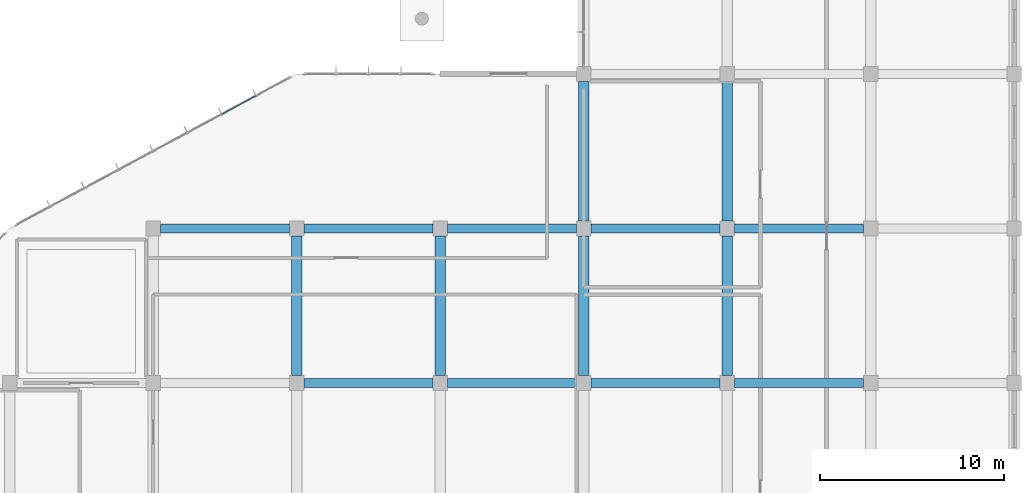
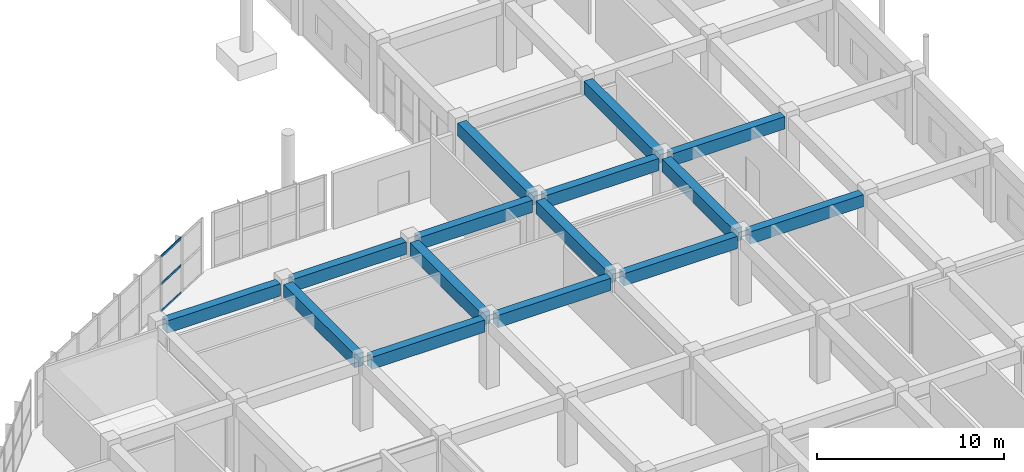
# One storey, part 32 of 139: 15 beams, 3 members, 1 element without a shape of its own.
"""IFC4 building model written with IfcOpenShell, lengths in metres."""

from ifc_helpers import new_model, si_unit, direction, frame, origin, origin_2d, place, context, subcontext, project, spatial, rectangle, hollow_rectangle, extrude, material, layer, layer_set, material_profile, profile_set, type_object, element, aggregate, save


model = new_model("IFC4")

# Units and contexts
model_context = context("Model", 3, precision=1e-05, world=origin(), true_north=direction((0.0, 1.0)))
body_context = subcontext(model_context, "Body", "Model", "MODEL_VIEW")
ifc_project = project(units=[si_unit("LENGTHUNIT", "METRE"), si_unit("AREAUNIT", "SQUARE_METRE"), si_unit("VOLUMEUNIT", "CUBIC_METRE"), si_unit("PLANEANGLEUNIT", "RADIAN"), si_unit("MASSUNIT", "GRAM", prefix="KILO")], contexts=[model_context])

# Site, building, storey
site_placement = place(None, origin())
site = spatial("IfcSite", under=ifc_project, at=site_placement, CompositionType="ELEMENT")
building_placement = place(site_placement, origin())
building = spatial("IfcBuilding", under=site, at=building_placement, Name="Zizhar Promenade General Hospital", CompositionType="ELEMENT")
storey_placement = place(building_placement, origin())
storey = spatial("IfcBuildingStorey", under=building, at=storey_placement, Name="L00", CompositionType="ELEMENT", Elevation=0.0)

# Beams
ifc_material_1 = material(Name="Concrete C35/45", Category="concrete")
ifc_material_profile_1 = material_profile(ifc_material_1, rectangle(XDim=0.5, YDim=0.800048828125, at=origin_2d()))
ifc_profile_set_1 = profile_set([ifc_material_profile_1], Name="Concrete C35/45")
beam_type_1 = type_object("IfcBeamType", Name="BM-RC-500x800", PredefinedType="BEAM", material=ifc_profile_set_1)
for number, where, z_axis, x_axis, name in (
    (1, (23.800048828125, 75.60009765625, 4.070068359375), (1.0, 0.0, 0.0), (0.0, 1.0, 0.0), "Grid Beam X L00 (3-9)"),
    (2, (31.60009765625, 67.199951171875, 4.070068359375), (1.0, 0.0, 0.0), (0.0, 1.0, 0.0), "Grid Beam X L00 (4-8)"),
    (3, (31.60009765625, 75.60009765625, 4.070068359375), (1.0, 0.0, 0.0), (0.0, 1.0, 0.0), "Grid Beam X L00 (4-9)"),
    (4, (39.39990234375, 67.199951171875, 4.070068359375), (1.0, 0.0, 0.0), (0.0, 1.0, 0.0), "Grid Beam X L00 (5-8)"),
    (5, (39.39990234375, 75.60009765625, 4.070068359375), (1.0, 0.0, 0.0), (0.0, 1.0, 0.0), "Grid Beam X L00 (5-9)"),
    (6, (47.199951171875, 67.199951171875, 4.070068359375), (1.0, 0.0, 0.0), (0.0, 1.0, 0.0), "Grid Beam X L00 (6-8)"),
    (7, (47.199951171875, 75.60009765625, 4.070068359375), (1.0, 0.0, 0.0), (0.0, 1.0, 0.0), "Grid Beam X L00 (6-9)"),
    (8, (55.0, 67.199951171875, 4.070068359375), (1.0, 0.0, 0.0), (0.0, 1.0, 0.0), "Grid Beam X L00 (7-8)"),
    (9, (55.0, 75.60009765625, 4.070068359375), (1.0, 0.0, 0.0), (0.0, 1.0, 0.0), "Grid Beam X L00 (7-9)"),
):
    element("IfcBeam", number, at=place(storey_placement, frame(where, z_axis=z_axis, x_axis=x_axis)), inside=storey, type_object=beam_type_1, Name=name, PredefinedType="BEAM", context=body_context, shape_type="SweptSolid", body=[
        extrude(rectangle(XDim=0.5, YDim=0.800048828125, at=origin_2d()), origin(), (0.0, 0.0, 1.0), 7.0),
    ])
ifc_material_2 = material(Name="Concrete C35/45", Category="concrete")
ifc_material_profile_2 = material_profile(ifc_material_2, rectangle(XDim=0.550048828125, YDim=0.85009765625, at=origin_2d()))
ifc_profile_set_2 = profile_set([ifc_material_profile_2], Name="Concrete C35/45")
beam_type_2 = type_object("IfcBeamType", Name="BM-RC-550x850", PredefinedType="BEAM", material=ifc_profile_set_2)
for number, where, z_axis, x_axis, name in (
    (10, (31.199951171875, 67.60009765625, 4.044921875), (0.0, 1.0, 0.0), (-1.0, 0.0, 0.0), "Grid Beam Y L00 (4-8)"),
    (11, (39.0, 67.60009765625, 4.044921875), (0.0, 1.0, 0.0), (-1.0, 0.0, 0.0), "Grid Beam Y L00 (5-8)"),
    (12, (46.800048828125, 67.60009765625, 4.044921875), (0.0, 1.0, 0.0), (-1.0, 0.0, 0.0), "Grid Beam Y L00 (6-8)"),
):
    element("IfcBeam", number, at=place(storey_placement, frame(where, z_axis=z_axis, x_axis=x_axis)), inside=storey, type_object=beam_type_2, Name=name, PredefinedType="BEAM", context=body_context, shape_type="SweptSolid", body=[
        extrude(rectangle(XDim=0.550048828125, YDim=0.85009765625, at=origin_2d()), origin(), (0.0, 0.0, 1.0), 7.599853515625),
    ])
beam_1_placement = place(storey_placement, frame((46.800048828125, 76.0, 4.044921875), z_axis=(0.0, 1.0, 0.0), x_axis=(-1.0, 0.0, 0.0)))
element("IfcBeam", 13, at=beam_1_placement, inside=storey, type_object=beam_type_2, Name="Grid Beam Y L00 (6-9)", PredefinedType="BEAM", context=body_context, shape_type="SweptSolid", body=[
    extrude(rectangle(XDim=0.550048828125, YDim=0.85009765625, at=origin_2d()), origin(), (0.0, 0.0, 1.0), 7.60009765625),
])
beam_2_placement = place(storey_placement, frame((54.60009765625, 67.60009765625, 4.044921875), z_axis=(0.0, 1.0, 0.0), x_axis=(-1.0, 0.0, 0.0)))
element("IfcBeam", 14, at=beam_2_placement, inside=storey, type_object=beam_type_2, Name="Grid Beam Y L00 (7-8)", PredefinedType="BEAM", context=body_context, shape_type="SweptSolid", body=[
    extrude(rectangle(XDim=0.550048828125, YDim=0.85009765625, at=origin_2d()), origin(), (0.0, 0.0, 1.0), 7.599853515625),
])
beam_3_placement = place(storey_placement, frame((54.60009765625, 76.0, 4.044921875), z_axis=(0.0, 1.0, 0.0), x_axis=(-1.0, 0.0, 0.0)))
element("IfcBeam", 15, at=beam_3_placement, inside=storey, type_object=beam_type_2, Name="Grid Beam Y L00 (7-9)", PredefinedType="BEAM", context=body_context, shape_type="SweptSolid", body=[
    extrude(rectangle(XDim=0.550048828125, YDim=0.85009765625, at=origin_2d()), origin(), (0.0, 0.0, 1.0), 7.60009765625),
])

# Curtain wall, members
ifc_material_3 = material(Name="Anodised aluminium 6063-T6 and low-E glass", Category="aluminium")
ifc_layer = layer(ifc_material_3, 0.159912109375)
ifc_layer_set = layer_set([ifc_layer], Name="Anodised aluminium 6063-T6 and low-E glass")
curtain_wall_type = type_object("IfcCurtainWallType", Name="CW-DT-MOD2", PredefinedType="NOTDEFINED", material=ifc_layer_set)
curtain_wall_placement = place(storey_placement, origin())
curtain_wall = element("IfcCurtainWall", 16, at=curtain_wall_placement, inside=storey, type_object=curtain_wall_type, Name="West Diagnostic Arm Glazed Curtain Wall L00-NW3", PredefinedType="NOTDEFINED")
ifc_material_4 = material(Name="Anodised aluminium 6063-T6", Category="aluminium")
ifc_material_profile_3 = material_profile(ifc_material_4, hollow_rectangle(XDim=0.06005859375, YDim=0.14990234375, WallThickness=0.00390625, at=origin_2d()))
ifc_profile_set_3 = profile_set([ifc_material_profile_3], Name="Anodised aluminium 6063-T6")
member_type = type_object("IfcMemberType", Name="CWT-ALU-150x60", PredefinedType="USERDEFINED", material=ifc_profile_set_3)
member_1_placement = place(storey_placement, frame((27.16796875, 81.828857421875, 0.030029296875), z_axis=(0.880467256516, 0.47410696072, 0.0), x_axis=(-0.47410696072, 0.880467256516, 0.0)))
member_1 = element("IfcMember", 17, at=member_1_placement, type_object=member_type, Name="CW-08 transom 7.1", ObjectType="TRANSOM", PredefinedType="USERDEFINED", context=body_context, shape_type="SweptSolid", body=[
    extrude(hollow_rectangle(XDim=0.06005859375, YDim=0.14990234375, WallThickness=0.00390625, at=origin_2d()), origin(), (0.0, 0.0, 1.0), 2.039794921875),
])
member_2_placement = place(storey_placement, frame((27.16796875, 81.828857421875, 1.81494140625), z_axis=(0.880467256516, 0.47410696072, 0.0), x_axis=(-0.47410696072, 0.880467256516, 0.0)))
member_2 = element("IfcMember", 18, at=member_2_placement, type_object=member_type, Name="CW-08 transom 7.2", ObjectType="TRANSOM", PredefinedType="USERDEFINED", context=body_context, shape_type="SweptSolid", body=[
    extrude(hollow_rectangle(XDim=0.06005859375, YDim=0.14990234375, WallThickness=0.00390625, at=origin_2d()), origin(), (0.0, 0.0, 1.0), 2.039794921875),
])
member_3_placement = place(storey_placement, frame((27.16796875, 81.828857421875, 3.60009765625), z_axis=(0.880467256516, 0.47410696072, 0.0), x_axis=(-0.47410696072, 0.880467256516, 0.0)))
member_3 = element("IfcMember", 19, at=member_3_placement, type_object=member_type, Name="CW-08 transom 7.3", ObjectType="TRANSOM", PredefinedType="USERDEFINED", context=body_context, shape_type="SweptSolid", body=[
    extrude(hollow_rectangle(XDim=0.06005859375, YDim=0.14990234375, WallThickness=0.00390625, at=origin_2d()), origin(), (0.0, 0.0, 1.0), 2.039794921875),
])
aggregate(curtain_wall, [member_1, member_2, member_3])

save(model, "model.ifc")
